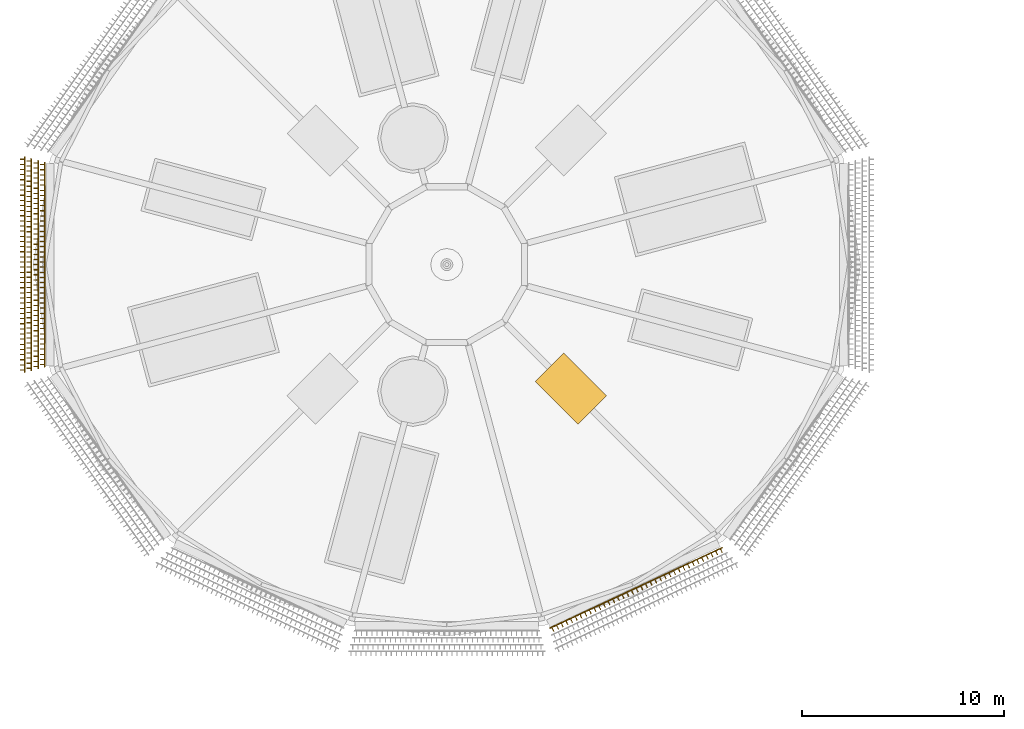
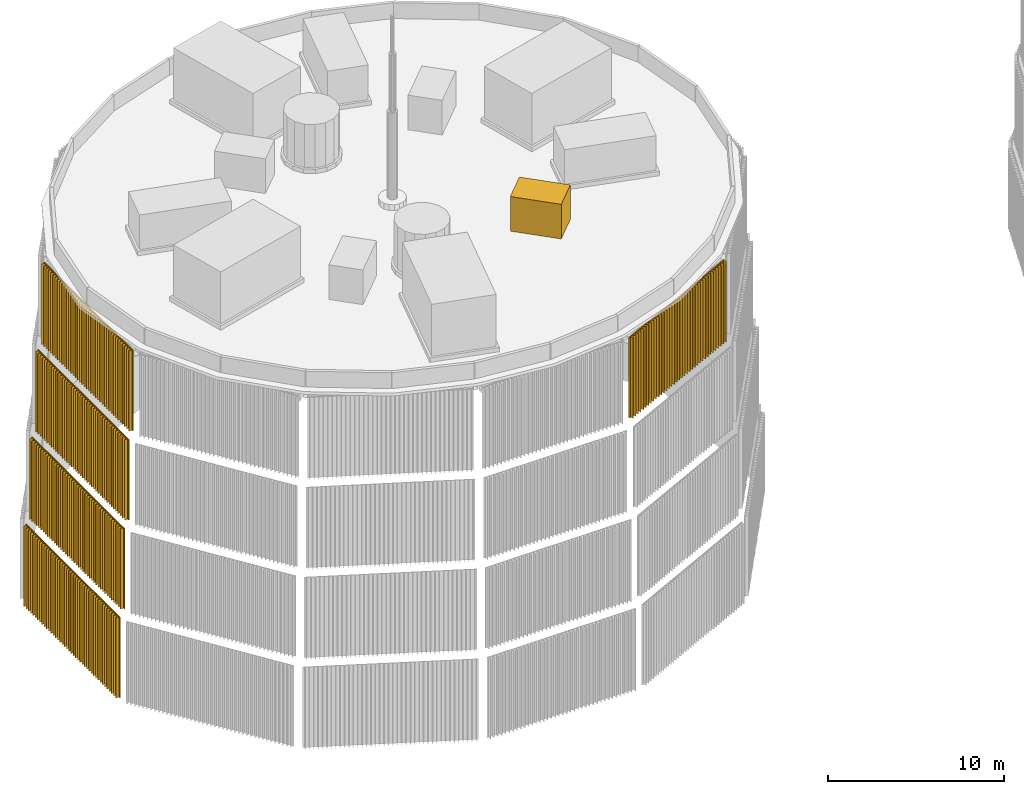
# One storey, part 6 of 24: 6 coverings.
"""IFC4 building model written with IfcOpenShell, lengths in metres."""

from ifc_helpers import new_model, si_unit, direction, frame, origin, place, context, subcontext, project, spatial, polyline, outline, extrude, material, type_object, element, save


model = new_model("IFC4")

# Units and contexts
model_context = context("Model", 3, precision=1e-05, world=origin(), true_north=direction((0.0, 1.0)))
body_context = subcontext(model_context, "Body", "Model", "MODEL_VIEW")
ifc_project = project(units=[si_unit("LENGTHUNIT", "METRE"), si_unit("AREAUNIT", "SQUARE_METRE"), si_unit("VOLUMEUNIT", "CUBIC_METRE"), si_unit("PLANEANGLEUNIT", "RADIAN"), si_unit("MASSUNIT", "GRAM", prefix="KILO")], contexts=[model_context])

# Site, building, storey
site_placement = place(None, origin())
site = spatial("IfcSite", under=ifc_project, at=site_placement, CompositionType="ELEMENT")
building_placement = place(site_placement, origin())
building = spatial("IfcBuilding", under=site, at=building_placement, Name="Rimbun Link Towers", CompositionType="ELEMENT")
storey_placement = place(building_placement, frame((0.0, 0.0, 294.89990234375)))
storey = spatial("IfcBuildingStorey", under=building, at=storey_placement, Name="Roof cap", CompositionType="ELEMENT", Elevation=294.89990234375)

# Coverings
ifc_material_1 = material(Name="Aluminium 6063-T6", Category="aluminium")
covering_type_1 = type_object("IfcCoveringType", Name="ROOF PLANT louvred enclosure 3000X2000X2400", PredefinedType="CLADDING", material=ifc_material_1)
covering_1_placement = place(storey_placement, frame((0.0, 0.0, 0.7001953125)))
element("IfcCovering", 1, at=covering_1_placement, inside=storey, type_object=covering_type_1, Name="ROOF PLANT louvred enclosure", PredefinedType="CLADDING", context=body_context, shape_type="SweptSolid", body=[
    extrude(outline(polyline([(-27.364990234375, -5.79931640625), (-25.24365234375, -7.920654296875), (-23.829345703125, -6.50634765625), (-25.95068359375, -4.385009765625), (-27.364990234375, -5.79931640625)])), origin(), (0.0, 0.0, 1.0), 2.39990234375),
])
ifc_material_2 = material(Name="Terracotta", Category="masonry")
covering_type_2 = type_object("IfcCoveringType", Name="TERRACOTTA CLADDING screen fins", PredefinedType="CLADDING", material=ifc_material_2)
covering_2_placement = place(storey_placement, frame((0.0, 0.0, -23.087890625)))
element("IfcCovering", 2, at=covering_2_placement, inside=storey, type_object=covering_type_2, Name="TERRACOTTA CLADDING screen", PredefinedType="CLADDING", context=body_context, shape_type="SweptSolid", body=[
    extrude(outline(polyline([(-52.7236328125, 5.35693359375), (-52.7236328125, 5.244384765625), (-52.923583984375, 5.244384765625), (-52.923583984375, 5.21435546875), (-52.7236328125, 5.21435546875), (-52.7236328125, 4.9892578125), (-52.923583984375, 4.9892578125), (-52.923583984375, 4.959228515625), (-52.7236328125, 4.959228515625), (-52.7236328125, 4.734130859375), (-52.923583984375, 4.734130859375), (-52.923583984375, 4.7041015625), (-52.7236328125, 4.7041015625), (-52.7236328125, 4.47900390625), (-52.923583984375, 4.47900390625), (-52.923583984375, 4.44921875), (-52.7236328125, 4.44921875), (-52.7236328125, 4.22412109375), (-52.923583984375, 4.22412109375), (-52.923583984375, 4.194091796875), (-52.7236328125, 4.194091796875), (-52.7236328125, 3.968994140625), (-52.923583984375, 3.968994140625), (-52.923583984375, 3.93896484375), (-52.7236328125, 3.93896484375), (-52.7236328125, 3.7138671875), (-52.923583984375, 3.7138671875), (-52.923583984375, 3.683837890625), (-52.7236328125, 3.683837890625), (-52.7236328125, 3.458740234375), (-52.923583984375, 3.458740234375), (-52.923583984375, 3.4287109375), (-52.7236328125, 3.4287109375), (-52.7236328125, 3.20361328125), (-52.923583984375, 3.20361328125), (-52.923583984375, 3.173583984375), (-52.7236328125, 3.173583984375), (-52.7236328125, 2.948486328125), (-52.923583984375, 2.948486328125), (-52.923583984375, 2.918701171875), (-52.7236328125, 2.918701171875), (-52.7236328125, 2.693603515625), (-52.923583984375, 2.693603515625), (-52.923583984375, 2.66357421875), (-52.7236328125, 2.66357421875), (-52.7236328125, 2.4384765625), (-52.923583984375, 2.4384765625), (-52.923583984375, 2.408447265625), (-52.7236328125, 2.408447265625), (-52.7236328125, 2.183349609375), (-52.923583984375, 2.183349609375), (-52.923583984375, 2.1533203125), (-52.7236328125, 2.1533203125), (-52.7236328125, 1.92822265625), (-52.923583984375, 1.92822265625), (-52.923583984375, 1.898193359375), (-52.7236328125, 1.898193359375), (-52.7236328125, 1.673095703125), (-52.923583984375, 1.673095703125), (-52.923583984375, 1.64306640625), (-52.7236328125, 1.64306640625), (-52.7236328125, 1.41796875), (-52.923583984375, 1.41796875), (-52.923583984375, 1.387939453125), (-52.7236328125, 1.387939453125), (-52.7236328125, 1.162841796875), (-52.923583984375, 1.162841796875), (-52.923583984375, 1.1328125), (-52.7236328125, 1.1328125), (-52.7236328125, 0.90771484375), (-52.923583984375, 0.90771484375), (-52.923583984375, 0.877685546875), (-52.7236328125, 0.877685546875), (-52.7236328125, 0.652587890625), (-52.923583984375, 0.652587890625), (-52.923583984375, 0.622802734375), (-52.7236328125, 0.622802734375), (-52.7236328125, 0.397705078125), (-52.923583984375, 0.397705078125), (-52.923583984375, 0.36767578125), (-52.7236328125, 0.36767578125), (-52.7236328125, 0.142578125), (-52.923583984375, 0.142578125), (-52.923583984375, 0.112548828125), (-52.7236328125, 0.112548828125), (-52.7236328125, -0.112548828125), (-52.923583984375, -0.112548828125), (-52.923583984375, -0.142578125), (-52.7236328125, -0.142578125), (-52.7236328125, -0.36767578125), (-52.923583984375, -0.36767578125), (-52.923583984375, -0.397705078125), (-52.7236328125, -0.397705078125), (-52.7236328125, -0.622802734375), (-52.923583984375, -0.622802734375), (-52.923583984375, -0.652587890625), (-52.7236328125, -0.652587890625), (-52.7236328125, -0.877685546875), (-52.923583984375, -0.877685546875), (-52.923583984375, -0.90771484375), (-52.7236328125, -0.90771484375), (-52.7236328125, -1.1328125), (-52.923583984375, -1.1328125), (-52.923583984375, -1.162841796875), (-52.7236328125, -1.162841796875), (-52.7236328125, -1.387939453125), (-52.923583984375, -1.387939453125), (-52.923583984375, -1.41796875), (-52.7236328125, -1.41796875), (-52.7236328125, -1.64306640625), (-52.923583984375, -1.64306640625), (-52.923583984375, -1.673095703125), (-52.7236328125, -1.673095703125), (-52.7236328125, -1.898193359375), (-52.923583984375, -1.898193359375), (-52.923583984375, -1.92822265625), (-52.7236328125, -1.92822265625), (-52.7236328125, -2.1533203125), (-52.923583984375, -2.1533203125), (-52.923583984375, -2.183349609375), (-52.7236328125, -2.183349609375), (-52.7236328125, -2.408447265625), (-52.923583984375, -2.408447265625), (-52.923583984375, -2.4384765625), (-52.7236328125, -2.4384765625), (-52.7236328125, -2.66357421875), (-52.923583984375, -2.66357421875), (-52.923583984375, -2.693603515625), (-52.7236328125, -2.693603515625), (-52.7236328125, -2.918701171875), (-52.923583984375, -2.918701171875), (-52.923583984375, -2.948486328125), (-52.7236328125, -2.948486328125), (-52.7236328125, -3.173583984375), (-52.923583984375, -3.173583984375), (-52.923583984375, -3.20361328125), (-52.7236328125, -3.20361328125), (-52.7236328125, -3.4287109375), (-52.923583984375, -3.4287109375), (-52.923583984375, -3.458740234375), (-52.7236328125, -3.458740234375), (-52.7236328125, -3.683837890625), (-52.923583984375, -3.683837890625), (-52.923583984375, -3.7138671875), (-52.7236328125, -3.7138671875), (-52.7236328125, -3.93896484375), (-52.923583984375, -3.93896484375), (-52.923583984375, -3.968994140625), (-52.7236328125, -3.968994140625), (-52.7236328125, -4.194091796875), (-52.923583984375, -4.194091796875), (-52.923583984375, -4.22412109375), (-52.7236328125, -4.22412109375), (-52.7236328125, -4.44921875), (-52.923583984375, -4.44921875), (-52.923583984375, -4.47900390625), (-52.7236328125, -4.47900390625), (-52.7236328125, -4.7041015625), (-52.923583984375, -4.7041015625), (-52.923583984375, -4.734130859375), (-52.7236328125, -4.734130859375), (-52.7236328125, -4.959228515625), (-52.923583984375, -4.959228515625), (-52.923583984375, -4.9892578125), (-52.7236328125, -4.9892578125), (-52.7236328125, -5.21435546875), (-52.923583984375, -5.21435546875), (-52.923583984375, -5.244384765625), (-52.7236328125, -5.244384765625), (-52.7236328125, -5.35693359375), (-52.673583984375, -5.343505859375), (-52.673583984375, 5.343505859375), (-52.7236328125, 5.35693359375)])), origin(), (0.0, 0.0, 1.0), 5.575927734375),
])
covering_3_placement = place(storey_placement, frame((0.0, 0.0, -17.087890625)))
element("IfcCovering", 3, at=covering_3_placement, inside=storey, type_object=covering_type_2, Name="TERRACOTTA CLADDING screen", PredefinedType="CLADDING", context=body_context, shape_type="SweptSolid", body=[
    extrude(outline(polyline([(-52.385498046875, 5.266357421875), (-52.385498046875, 5.156005859375), (-52.585693359375, 5.156005859375), (-52.585693359375, 5.1259765625), (-52.385498046875, 5.1259765625), (-52.385498046875, 4.9052734375), (-52.585693359375, 4.9052734375), (-52.585693359375, 4.875244140625), (-52.385498046875, 4.875244140625), (-52.385498046875, 4.654296875), (-52.585693359375, 4.654296875), (-52.585693359375, 4.62451171875), (-52.385498046875, 4.62451171875), (-52.385498046875, 4.403564453125), (-52.585693359375, 4.403564453125), (-52.585693359375, 4.37353515625), (-52.385498046875, 4.37353515625), (-52.385498046875, 4.15283203125), (-52.585693359375, 4.15283203125), (-52.585693359375, 4.122802734375), (-52.385498046875, 4.122802734375), (-52.385498046875, 3.902099609375), (-52.585693359375, 3.902099609375), (-52.585693359375, 3.8720703125), (-52.385498046875, 3.8720703125), (-52.385498046875, 3.6513671875), (-52.585693359375, 3.6513671875), (-52.585693359375, 3.621337890625), (-52.385498046875, 3.621337890625), (-52.385498046875, 3.400390625), (-52.585693359375, 3.400390625), (-52.585693359375, 3.37060546875), (-52.385498046875, 3.37060546875), (-52.385498046875, 3.149658203125), (-52.585693359375, 3.149658203125), (-52.585693359375, 3.11962890625), (-52.385498046875, 3.11962890625), (-52.385498046875, 2.89892578125), (-52.585693359375, 2.89892578125), (-52.585693359375, 2.868896484375), (-52.385498046875, 2.868896484375), (-52.385498046875, 2.648193359375), (-52.585693359375, 2.648193359375), (-52.585693359375, 2.6181640625), (-52.385498046875, 2.6181640625), (-52.385498046875, 2.3974609375), (-52.585693359375, 2.3974609375), (-52.585693359375, 2.367431640625), (-52.385498046875, 2.367431640625), (-52.385498046875, 2.146484375), (-52.585693359375, 2.146484375), (-52.585693359375, 2.11669921875), (-52.385498046875, 2.11669921875), (-52.385498046875, 1.895751953125), (-52.585693359375, 1.895751953125), (-52.585693359375, 1.86572265625), (-52.385498046875, 1.86572265625), (-52.385498046875, 1.64501953125), (-52.585693359375, 1.64501953125), (-52.585693359375, 1.614990234375), (-52.385498046875, 1.614990234375), (-52.385498046875, 1.394287109375), (-52.585693359375, 1.394287109375), (-52.585693359375, 1.3642578125), (-52.385498046875, 1.3642578125), (-52.385498046875, 1.1435546875), (-52.585693359375, 1.1435546875), (-52.585693359375, 1.113525390625), (-52.385498046875, 1.113525390625), (-52.385498046875, 0.892578125), (-52.585693359375, 0.892578125), (-52.585693359375, 0.86279296875), (-52.385498046875, 0.86279296875), (-52.385498046875, 0.641845703125), (-52.585693359375, 0.641845703125), (-52.585693359375, 0.61181640625), (-52.385498046875, 0.61181640625), (-52.385498046875, 0.39111328125), (-52.585693359375, 0.39111328125), (-52.585693359375, 0.361083984375), (-52.385498046875, 0.361083984375), (-52.385498046875, 0.140380859375), (-52.585693359375, 0.140380859375), (-52.585693359375, 0.1103515625), (-52.385498046875, 0.1103515625), (-52.385498046875, -0.1103515625), (-52.585693359375, -0.1103515625), (-52.585693359375, -0.140380859375), (-52.385498046875, -0.140380859375), (-52.385498046875, -0.361083984375), (-52.585693359375, -0.361083984375), (-52.585693359375, -0.39111328125), (-52.385498046875, -0.39111328125), (-52.385498046875, -0.61181640625), (-52.585693359375, -0.61181640625), (-52.585693359375, -0.641845703125), (-52.385498046875, -0.641845703125), (-52.385498046875, -0.86279296875), (-52.585693359375, -0.86279296875), (-52.585693359375, -0.892578125), (-52.385498046875, -0.892578125), (-52.385498046875, -1.113525390625), (-52.585693359375, -1.113525390625), (-52.585693359375, -1.1435546875), (-52.385498046875, -1.1435546875), (-52.385498046875, -1.3642578125), (-52.585693359375, -1.3642578125), (-52.585693359375, -1.394287109375), (-52.385498046875, -1.394287109375), (-52.385498046875, -1.614990234375), (-52.585693359375, -1.614990234375), (-52.585693359375, -1.64501953125), (-52.385498046875, -1.64501953125), (-52.385498046875, -1.86572265625), (-52.585693359375, -1.86572265625), (-52.585693359375, -1.895751953125), (-52.385498046875, -1.895751953125), (-52.385498046875, -2.11669921875), (-52.585693359375, -2.11669921875), (-52.585693359375, -2.146484375), (-52.385498046875, -2.146484375), (-52.385498046875, -2.367431640625), (-52.585693359375, -2.367431640625), (-52.585693359375, -2.3974609375), (-52.385498046875, -2.3974609375), (-52.385498046875, -2.6181640625), (-52.585693359375, -2.6181640625), (-52.585693359375, -2.648193359375), (-52.385498046875, -2.648193359375), (-52.385498046875, -2.868896484375), (-52.585693359375, -2.868896484375), (-52.585693359375, -2.89892578125), (-52.385498046875, -2.89892578125), (-52.385498046875, -3.11962890625), (-52.585693359375, -3.11962890625), (-52.585693359375, -3.149658203125), (-52.385498046875, -3.149658203125), (-52.385498046875, -3.37060546875), (-52.585693359375, -3.37060546875), (-52.585693359375, -3.400390625), (-52.385498046875, -3.400390625), (-52.385498046875, -3.621337890625), (-52.585693359375, -3.621337890625), (-52.585693359375, -3.6513671875), (-52.385498046875, -3.6513671875), (-52.385498046875, -3.8720703125), (-52.585693359375, -3.8720703125), (-52.585693359375, -3.902099609375), (-52.385498046875, -3.902099609375), (-52.385498046875, -4.122802734375), (-52.585693359375, -4.122802734375), (-52.585693359375, -4.15283203125), (-52.385498046875, -4.15283203125), (-52.385498046875, -4.37353515625), (-52.585693359375, -4.37353515625), (-52.585693359375, -4.403564453125), (-52.385498046875, -4.403564453125), (-52.385498046875, -4.62451171875), (-52.585693359375, -4.62451171875), (-52.585693359375, -4.654296875), (-52.385498046875, -4.654296875), (-52.385498046875, -4.875244140625), (-52.585693359375, -4.875244140625), (-52.585693359375, -4.9052734375), (-52.385498046875, -4.9052734375), (-52.385498046875, -5.1259765625), (-52.585693359375, -5.1259765625), (-52.585693359375, -5.156005859375), (-52.385498046875, -5.156005859375), (-52.385498046875, -5.266357421875), (-52.335693359375, -5.2529296875), (-52.335693359375, 5.2529296875), (-52.385498046875, 5.266357421875)])), origin(), (0.0, 0.0, 1.0), 5.575927734375),
])
covering_4_placement = place(storey_placement, frame((0.0, 0.0, -11.087890625)))
element("IfcCovering", 4, at=covering_4_placement, inside=storey, type_object=covering_type_2, Name="TERRACOTTA CLADDING screen", PredefinedType="CLADDING", context=body_context, shape_type="SweptSolid", body=[
    extrude(outline(polyline([(-52.047607421875, 5.17578125), (-52.047607421875, 5.064453125), (-52.24755859375, 5.064453125), (-52.24755859375, 5.034423828125), (-52.047607421875, 5.034423828125), (-52.047607421875, 4.81201171875), (-52.24755859375, 4.81201171875), (-52.24755859375, 4.781982421875), (-52.047607421875, 4.781982421875), (-52.047607421875, 4.5595703125), (-52.24755859375, 4.5595703125), (-52.24755859375, 4.529541015625), (-52.047607421875, 4.529541015625), (-52.047607421875, 4.30712890625), (-52.24755859375, 4.30712890625), (-52.24755859375, 4.277099609375), (-52.047607421875, 4.277099609375), (-52.047607421875, 4.0546875), (-52.24755859375, 4.0546875), (-52.24755859375, 4.024658203125), (-52.047607421875, 4.024658203125), (-52.047607421875, 3.802001953125), (-52.24755859375, 3.802001953125), (-52.24755859375, 3.772216796875), (-52.047607421875, 3.772216796875), (-52.047607421875, 3.5498046875), (-52.24755859375, 3.5498046875), (-52.24755859375, 3.519775390625), (-52.047607421875, 3.519775390625), (-52.047607421875, 3.297119140625), (-52.24755859375, 3.297119140625), (-52.24755859375, 3.26708984375), (-52.047607421875, 3.26708984375), (-52.047607421875, 3.044677734375), (-52.24755859375, 3.044677734375), (-52.24755859375, 3.0146484375), (-52.047607421875, 3.0146484375), (-52.047607421875, 2.792236328125), (-52.24755859375, 2.792236328125), (-52.24755859375, 2.76220703125), (-52.047607421875, 2.76220703125), (-52.047607421875, 2.539794921875), (-52.24755859375, 2.539794921875), (-52.24755859375, 2.509765625), (-52.047607421875, 2.509765625), (-52.047607421875, 2.287353515625), (-52.24755859375, 2.287353515625), (-52.24755859375, 2.25732421875), (-52.047607421875, 2.25732421875), (-52.047607421875, 2.034912109375), (-52.24755859375, 2.034912109375), (-52.24755859375, 2.0048828125), (-52.047607421875, 2.0048828125), (-52.047607421875, 1.7822265625), (-52.24755859375, 1.7822265625), (-52.24755859375, 1.752197265625), (-52.047607421875, 1.752197265625), (-52.047607421875, 1.52978515625), (-52.24755859375, 1.52978515625), (-52.24755859375, 1.5), (-52.047607421875, 1.5), (-52.047607421875, 1.27734375), (-52.24755859375, 1.27734375), (-52.24755859375, 1.247314453125), (-52.047607421875, 1.247314453125), (-52.047607421875, 1.02490234375), (-52.24755859375, 1.02490234375), (-52.24755859375, 0.994873046875), (-52.047607421875, 0.994873046875), (-52.047607421875, 0.7724609375), (-52.24755859375, 0.7724609375), (-52.24755859375, 0.742431640625), (-52.047607421875, 0.742431640625), (-52.047607421875, 0.52001953125), (-52.24755859375, 0.52001953125), (-52.24755859375, 0.489990234375), (-52.047607421875, 0.489990234375), (-52.047607421875, 0.267578125), (-52.24755859375, 0.267578125), (-52.24755859375, 0.237548828125), (-52.047607421875, 0.237548828125), (-52.047607421875, 0.014892578125), (-52.24755859375, 0.014892578125), (-52.24755859375, -0.014892578125), (-52.047607421875, -0.014892578125), (-52.047607421875, -0.237548828125), (-52.24755859375, -0.237548828125), (-52.24755859375, -0.267578125), (-52.047607421875, -0.267578125), (-52.047607421875, -0.489990234375), (-52.24755859375, -0.489990234375), (-52.24755859375, -0.52001953125), (-52.047607421875, -0.52001953125), (-52.047607421875, -0.742431640625), (-52.24755859375, -0.742431640625), (-52.24755859375, -0.7724609375), (-52.047607421875, -0.7724609375), (-52.047607421875, -0.994873046875), (-52.24755859375, -0.994873046875), (-52.24755859375, -1.02490234375), (-52.047607421875, -1.02490234375), (-52.047607421875, -1.247314453125), (-52.24755859375, -1.247314453125), (-52.24755859375, -1.27734375), (-52.047607421875, -1.27734375), (-52.047607421875, -1.5), (-52.24755859375, -1.5), (-52.24755859375, -1.52978515625), (-52.047607421875, -1.52978515625), (-52.047607421875, -1.752197265625), (-52.24755859375, -1.752197265625), (-52.24755859375, -1.7822265625), (-52.047607421875, -1.7822265625), (-52.047607421875, -2.0048828125), (-52.24755859375, -2.0048828125), (-52.24755859375, -2.034912109375), (-52.047607421875, -2.034912109375), (-52.047607421875, -2.25732421875), (-52.24755859375, -2.25732421875), (-52.24755859375, -2.287353515625), (-52.047607421875, -2.287353515625), (-52.047607421875, -2.509765625), (-52.24755859375, -2.509765625), (-52.24755859375, -2.539794921875), (-52.047607421875, -2.539794921875), (-52.047607421875, -2.76220703125), (-52.24755859375, -2.76220703125), (-52.24755859375, -2.792236328125), (-52.047607421875, -2.792236328125), (-52.047607421875, -3.0146484375), (-52.24755859375, -3.0146484375), (-52.24755859375, -3.044677734375), (-52.047607421875, -3.044677734375), (-52.047607421875, -3.26708984375), (-52.24755859375, -3.26708984375), (-52.24755859375, -3.297119140625), (-52.047607421875, -3.297119140625), (-52.047607421875, -3.519775390625), (-52.24755859375, -3.519775390625), (-52.24755859375, -3.5498046875), (-52.047607421875, -3.5498046875), (-52.047607421875, -3.772216796875), (-52.24755859375, -3.772216796875), (-52.24755859375, -3.802001953125), (-52.047607421875, -3.802001953125), (-52.047607421875, -4.024658203125), (-52.24755859375, -4.024658203125), (-52.24755859375, -4.0546875), (-52.047607421875, -4.0546875), (-52.047607421875, -4.277099609375), (-52.24755859375, -4.277099609375), (-52.24755859375, -4.30712890625), (-52.047607421875, -4.30712890625), (-52.047607421875, -4.529541015625), (-52.24755859375, -4.529541015625), (-52.24755859375, -4.5595703125), (-52.047607421875, -4.5595703125), (-52.047607421875, -4.781982421875), (-52.24755859375, -4.781982421875), (-52.24755859375, -4.81201171875), (-52.047607421875, -4.81201171875), (-52.047607421875, -5.034423828125), (-52.24755859375, -5.034423828125), (-52.24755859375, -5.064453125), (-52.047607421875, -5.064453125), (-52.047607421875, -5.17578125), (-51.99755859375, -5.162353515625), (-51.99755859375, 5.162353515625), (-52.047607421875, 5.17578125)])), origin(), (0.0, 0.0, 1.0), 5.575927734375),
])
covering_5_placement = place(storey_placement, frame((0.0, 0.0, -5.087890625)))
element("IfcCovering", 5, at=covering_5_placement, inside=storey, type_object=covering_type_2, Name="TERRACOTTA CLADDING screen", PredefinedType="CLADDING", context=body_context, shape_type="SweptSolid", body=[
    extrude(outline(polyline([(-51.70947265625, 5.085205078125), (-51.70947265625, 4.972900390625), (-51.909423828125, 4.972900390625), (-51.909423828125, 4.943115234375), (-51.70947265625, 4.943115234375), (-51.70947265625, 4.71875), (-51.909423828125, 4.71875), (-51.909423828125, 4.688720703125), (-51.70947265625, 4.688720703125), (-51.70947265625, 4.464599609375), (-51.909423828125, 4.464599609375), (-51.909423828125, 4.4345703125), (-51.70947265625, 4.4345703125), (-51.70947265625, 4.210205078125), (-51.909423828125, 4.210205078125), (-51.909423828125, 4.180419921875), (-51.70947265625, 4.180419921875), (-51.70947265625, 3.9560546875), (-51.909423828125, 3.9560546875), (-51.909423828125, 3.926025390625), (-51.70947265625, 3.926025390625), (-51.70947265625, 3.70166015625), (-51.909423828125, 3.70166015625), (-51.909423828125, 3.671630859375), (-51.70947265625, 3.671630859375), (-51.70947265625, 3.447509765625), (-51.909423828125, 3.447509765625), (-51.909423828125, 3.41748046875), (-51.70947265625, 3.41748046875), (-51.70947265625, 3.193115234375), (-51.909423828125, 3.193115234375), (-51.909423828125, 3.1630859375), (-51.70947265625, 3.1630859375), (-51.70947265625, 2.93896484375), (-51.909423828125, 2.93896484375), (-51.909423828125, 2.908935546875), (-51.70947265625, 2.908935546875), (-51.70947265625, 2.684814453125), (-51.909423828125, 2.684814453125), (-51.909423828125, 2.65478515625), (-51.70947265625, 2.65478515625), (-51.70947265625, 2.430419921875), (-51.909423828125, 2.430419921875), (-51.909423828125, 2.400390625), (-51.70947265625, 2.400390625), (-51.70947265625, 2.17626953125), (-51.909423828125, 2.17626953125), (-51.909423828125, 2.146240234375), (-51.70947265625, 2.146240234375), (-51.70947265625, 1.921875), (-51.909423828125, 1.921875), (-51.909423828125, 1.891845703125), (-51.70947265625, 1.891845703125), (-51.70947265625, 1.667724609375), (-51.909423828125, 1.667724609375), (-51.909423828125, 1.6376953125), (-51.70947265625, 1.6376953125), (-51.70947265625, 1.413330078125), (-51.909423828125, 1.413330078125), (-51.909423828125, 1.38330078125), (-51.70947265625, 1.38330078125), (-51.70947265625, 1.1591796875), (-51.909423828125, 1.1591796875), (-51.909423828125, 1.129150390625), (-51.70947265625, 1.129150390625), (-51.70947265625, 0.90478515625), (-51.909423828125, 0.90478515625), (-51.909423828125, 0.875), (-51.70947265625, 0.875), (-51.70947265625, 0.650634765625), (-51.909423828125, 0.650634765625), (-51.909423828125, 0.62060546875), (-51.70947265625, 0.62060546875), (-51.70947265625, 0.396484375), (-51.909423828125, 0.396484375), (-51.909423828125, 0.366455078125), (-51.70947265625, 0.366455078125), (-51.70947265625, 0.14208984375), (-51.909423828125, 0.14208984375), (-51.909423828125, 0.112060546875), (-51.70947265625, 0.112060546875), (-51.70947265625, -0.112060546875), (-51.909423828125, -0.112060546875), (-51.909423828125, -0.14208984375), (-51.70947265625, -0.14208984375), (-51.70947265625, -0.366455078125), (-51.909423828125, -0.366455078125), (-51.909423828125, -0.396484375), (-51.70947265625, -0.396484375), (-51.70947265625, -0.62060546875), (-51.909423828125, -0.62060546875), (-51.909423828125, -0.650634765625), (-51.70947265625, -0.650634765625), (-51.70947265625, -0.875), (-51.909423828125, -0.875), (-51.909423828125, -0.90478515625), (-51.70947265625, -0.90478515625), (-51.70947265625, -1.129150390625), (-51.909423828125, -1.129150390625), (-51.909423828125, -1.1591796875), (-51.70947265625, -1.1591796875), (-51.70947265625, -1.38330078125), (-51.909423828125, -1.38330078125), (-51.909423828125, -1.413330078125), (-51.70947265625, -1.413330078125), (-51.70947265625, -1.6376953125), (-51.909423828125, -1.6376953125), (-51.909423828125, -1.667724609375), (-51.70947265625, -1.667724609375), (-51.70947265625, -1.891845703125), (-51.909423828125, -1.891845703125), (-51.909423828125, -1.921875), (-51.70947265625, -1.921875), (-51.70947265625, -2.146240234375), (-51.909423828125, -2.146240234375), (-51.909423828125, -2.17626953125), (-51.70947265625, -2.17626953125), (-51.70947265625, -2.400390625), (-51.909423828125, -2.400390625), (-51.909423828125, -2.430419921875), (-51.70947265625, -2.430419921875), (-51.70947265625, -2.65478515625), (-51.909423828125, -2.65478515625), (-51.909423828125, -2.684814453125), (-51.70947265625, -2.684814453125), (-51.70947265625, -2.908935546875), (-51.909423828125, -2.908935546875), (-51.909423828125, -2.93896484375), (-51.70947265625, -2.93896484375), (-51.70947265625, -3.1630859375), (-51.909423828125, -3.1630859375), (-51.909423828125, -3.193115234375), (-51.70947265625, -3.193115234375), (-51.70947265625, -3.41748046875), (-51.909423828125, -3.41748046875), (-51.909423828125, -3.447509765625), (-51.70947265625, -3.447509765625), (-51.70947265625, -3.671630859375), (-51.909423828125, -3.671630859375), (-51.909423828125, -3.70166015625), (-51.70947265625, -3.70166015625), (-51.70947265625, -3.926025390625), (-51.909423828125, -3.926025390625), (-51.909423828125, -3.9560546875), (-51.70947265625, -3.9560546875), (-51.70947265625, -4.180419921875), (-51.909423828125, -4.180419921875), (-51.909423828125, -4.210205078125), (-51.70947265625, -4.210205078125), (-51.70947265625, -4.4345703125), (-51.909423828125, -4.4345703125), (-51.909423828125, -4.464599609375), (-51.70947265625, -4.464599609375), (-51.70947265625, -4.688720703125), (-51.909423828125, -4.688720703125), (-51.909423828125, -4.71875), (-51.70947265625, -4.71875), (-51.70947265625, -4.943115234375), (-51.909423828125, -4.943115234375), (-51.909423828125, -4.972900390625), (-51.70947265625, -4.972900390625), (-51.70947265625, -5.085205078125), (-51.659423828125, -5.07177734375), (-51.659423828125, 5.07177734375), (-51.70947265625, 5.085205078125)])), origin(), (0.0, 0.0, 1.0), 5.575927734375),
])
covering_6_placement = place(storey_placement, frame((0.0, 0.0, -5.087890625)))
element("IfcCovering", 6, at=covering_6_placement, inside=storey, type_object=covering_type_2, Name="TERRACOTTA CLADDING screen", PredefinedType="CLADDING", context=body_context, shape_type="SweptSolid", body=[
    extrude(outline(polyline([(-26.646240234375, -18.06640625), (-26.543701171875, -18.0185546875), (-26.458984375, -18.19970703125), (-26.431884765625, -18.18701171875), (-26.5166015625, -18.005859375), (-26.3115234375, -17.909912109375), (-26.226806640625, -18.09130859375), (-26.19970703125, -18.07861328125), (-26.284423828125, -17.897216796875), (-26.07958984375, -17.801513671875), (-25.994873046875, -17.982666015625), (-25.967529296875, -17.969970703125), (-26.05224609375, -17.788818359375), (-25.847412109375, -17.693115234375), (-25.7626953125, -17.874267578125), (-25.735595703125, -17.861572265625), (-25.820068359375, -17.680419921875), (-25.615234375, -17.58447265625), (-25.530517578125, -17.765625), (-25.50341796875, -17.7529296875), (-25.587890625, -17.57177734375), (-25.383056640625, -17.47607421875), (-25.29833984375, -17.6572265625), (-25.271240234375, -17.64453125), (-25.35595703125, -17.46337890625), (-25.15087890625, -17.367431640625), (-25.066162109375, -17.548583984375), (-25.0390625, -17.535888671875), (-25.123779296875, -17.354736328125), (-24.918701171875, -17.259033203125), (-24.833984375, -17.440185546875), (-24.806884765625, -17.427490234375), (-24.8916015625, -17.246337890625), (-24.6865234375, -17.150390625), (-24.601806640625, -17.331787109375), (-24.57470703125, -17.319091796875), (-24.659423828125, -17.1376953125), (-24.45458984375, -17.0419921875), (-24.369873046875, -17.22314453125), (-24.342529296875, -17.21044921875), (-24.42724609375, -17.029296875), (-24.222412109375, -16.93359375), (-24.1376953125, -17.11474609375), (-24.110595703125, -17.10205078125), (-24.1953125, -16.9208984375), (-23.990234375, -16.824951171875), (-23.905517578125, -17.006103515625), (-23.87841796875, -16.993408203125), (-23.962890625, -16.812255859375), (-23.758056640625, -16.716552734375), (-23.67333984375, -16.897705078125), (-23.646240234375, -16.885009765625), (-23.73095703125, -16.703857421875), (-23.52587890625, -16.608154296875), (-23.44140625, -16.789306640625), (-23.4140625, -16.776611328125), (-23.498779296875, -16.595458984375), (-23.293701171875, -16.49951171875), (-23.208984375, -16.6806640625), (-23.181884765625, -16.66796875), (-23.2666015625, -16.48681640625), (-23.061767578125, -16.39111328125), (-22.97705078125, -16.572265625), (-22.94970703125, -16.5595703125), (-23.034423828125, -16.37841796875), (-22.82958984375, -16.28271484375), (-22.744873046875, -16.4638671875), (-22.7177734375, -16.451171875), (-22.80224609375, -16.27001953125), (-22.597412109375, -16.174072265625), (-22.5126953125, -16.355224609375), (-22.485595703125, -16.342529296875), (-22.5703125, -16.161376953125), (-22.365234375, -16.065673828125), (-22.280517578125, -16.246826171875), (-22.25341796875, -16.234130859375), (-22.338134765625, -16.052978515625), (-22.133056640625, -15.95703125), (-22.04833984375, -16.13818359375), (-22.021240234375, -16.12548828125), (-22.10595703125, -15.9443359375), (-21.90087890625, -15.8486328125), (-21.81640625, -16.02978515625), (-21.7890625, -16.01708984375), (-21.873779296875, -15.8359375), (-21.668701171875, -15.739990234375), (-21.583984375, -15.92138671875), (-21.556884765625, -15.90869140625), (-21.6416015625, -15.727294921875), (-21.436767578125, -15.631591796875), (-21.35205078125, -15.812744140625), (-21.32470703125, -15.800048828125), (-21.409423828125, -15.618896484375), (-21.20458984375, -15.523193359375), (-21.119873046875, -15.704345703125), (-21.0927734375, -15.691650390625), (-21.177490234375, -15.510498046875), (-20.972412109375, -15.41455078125), (-20.8876953125, -15.595703125), (-20.860595703125, -15.5830078125), (-20.9453125, -15.40185546875), (-20.740234375, -15.30615234375), (-20.655517578125, -15.4873046875), (-20.62841796875, -15.474609375), (-20.713134765625, -15.29345703125), (-20.508056640625, -15.197509765625), (-20.423583984375, -15.37890625), (-20.396240234375, -15.3662109375), (-20.48095703125, -15.184814453125), (-20.27587890625, -15.089111328125), (-20.19140625, -15.270263671875), (-20.1640625, -15.257568359375), (-20.248779296875, -15.076416015625), (-20.0439453125, -14.980712890625), (-19.959228515625, -15.161865234375), (-19.931884765625, -15.149169921875), (-20.0166015625, -14.968017578125), (-19.811767578125, -14.872314453125), (-19.72705078125, -15.053466796875), (-19.699951171875, -15.040771484375), (-19.784423828125, -14.859619140625), (-19.57958984375, -14.763671875), (-19.494873046875, -14.94482421875), (-19.4677734375, -14.93212890625), (-19.552490234375, -14.7509765625), (-19.347412109375, -14.6552734375), (-19.2626953125, -14.83642578125), (-19.235595703125, -14.82373046875), (-19.3203125, -14.642578125), (-19.115234375, -14.546630859375), (-19.030517578125, -14.727783203125), (-19.00341796875, -14.715087890625), (-19.088134765625, -14.533935546875), (-18.88330078125, -14.438232421875), (-18.798583984375, -14.619384765625), (-18.771240234375, -14.606689453125), (-18.85595703125, -14.425537109375), (-18.65087890625, -14.32958984375), (-18.56640625, -14.510986328125), (-18.539306640625, -14.498291015625), (-18.623779296875, -14.31689453125), (-18.4189453125, -14.22119140625), (-18.334228515625, -14.40234375), (-18.306884765625, -14.3896484375), (-18.3916015625, -14.20849609375), (-18.186767578125, -14.11279296875), (-18.10205078125, -14.2939453125), (-18.074951171875, -14.28125), (-18.15966796875, -14.10009765625), (-18.05712890625, -14.052001953125), (-18.0947265625, -14.014404296875), (-26.659423828125, -18.017333984375), (-26.646240234375, -18.06640625)])), origin(), (0.0, 0.0, 1.0), 5.575927734375),
])

save(model, "model.ifc")
